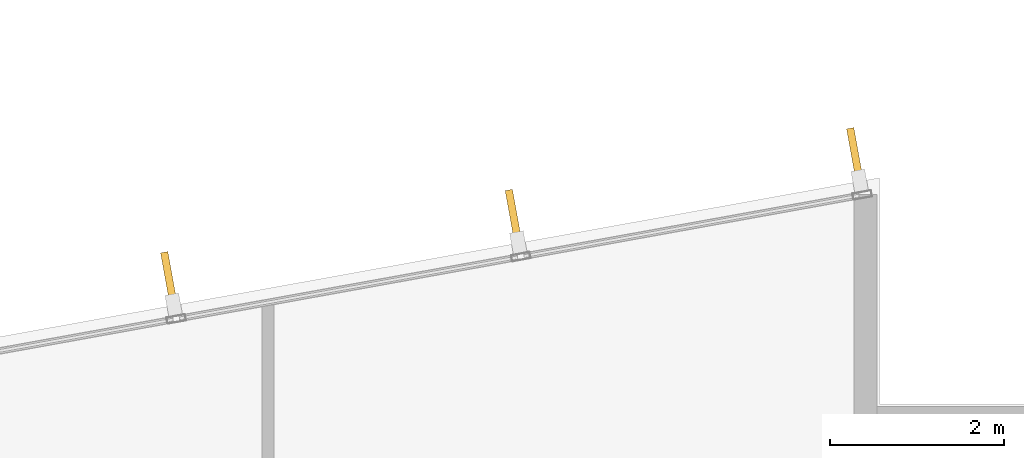
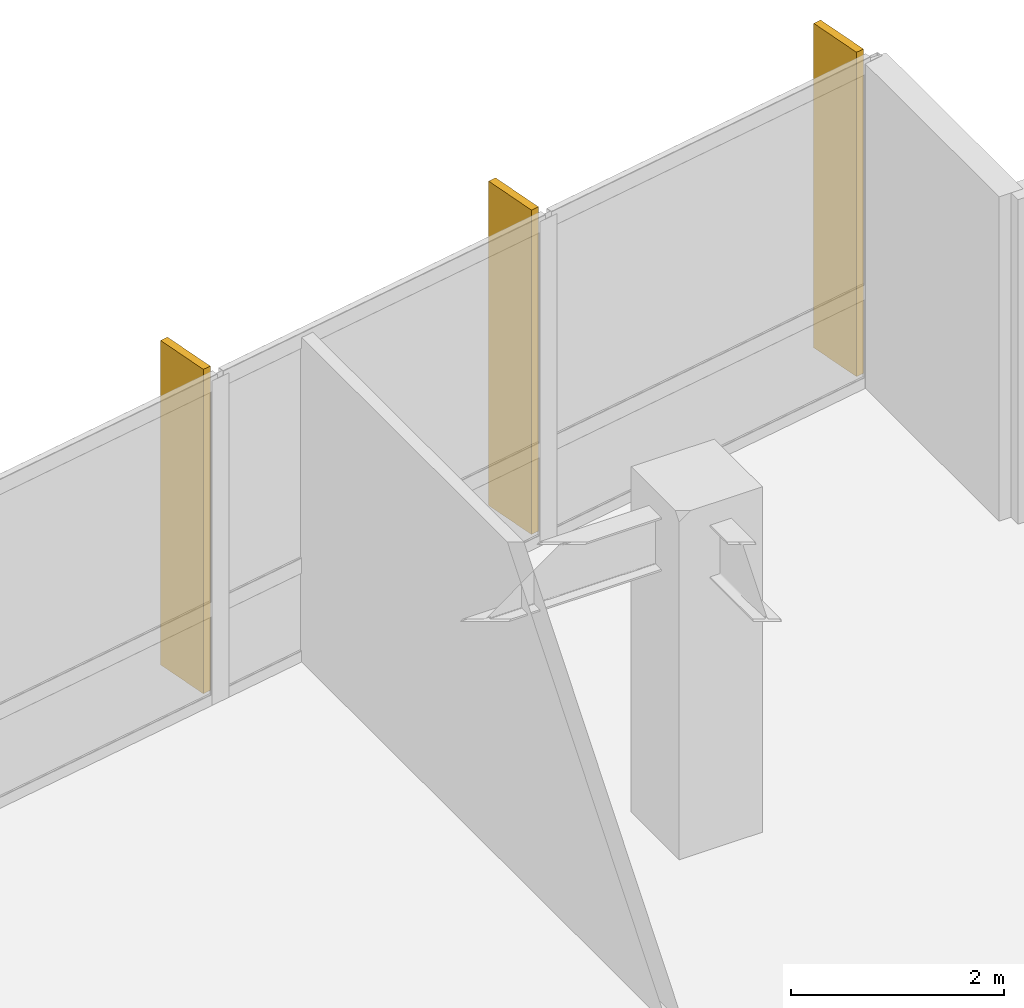
# One storey, part 18 of 18: 3 shading devices.
"""IFC4 building model written with IfcOpenShell, lengths in metres."""

from ifc_helpers import new_model, si_unit, direction, frame, origin, origin_2d, place, context, subcontext, project, spatial, rectangle, extrude, material, layer, layer_set, type_object, element, save


model = new_model("IFC4")

# Units and contexts
model_context = context("Model", 3, precision=1e-05, world=origin(), true_north=direction((0.0, 1.0)))
body_context = subcontext(model_context, "Body", "Model", "MODEL_VIEW")
ifc_project = project(units=[si_unit("LENGTHUNIT", "METRE"), si_unit("AREAUNIT", "SQUARE_METRE"), si_unit("VOLUMEUNIT", "CUBIC_METRE"), si_unit("PLANEANGLEUNIT", "RADIAN"), si_unit("MASSUNIT", "GRAM", prefix="KILO")], contexts=[model_context])

# Site, building, storey
site_placement = place(None, origin())
site = spatial("IfcSite", under=ifc_project, at=site_placement, CompositionType="ELEMENT")
building_placement = place(site_placement, origin())
building = spatial("IfcBuilding", under=site, at=building_placement, Name="Varnakote Quay Hospital", CompositionType="ELEMENT")
storey_placement = place(building_placement, frame((0.0, 0.0, 69.89990234375)))
storey = spatial("IfcBuildingStorey", under=building, at=storey_placement, Name="L17", CompositionType="ELEMENT", Elevation=69.89990234375)

# Shading devices
ifc_material = material(Name="Anodised aluminium 6063-T6 Bronze", Category="aluminium")
ifc_layer = layer(ifc_material, 0.0849609375)
ifc_layer_set = layer_set([ifc_layer], Name="Anodised aluminium 6063-T6 Bronze")
shading_device_type = type_object("IfcShadingDeviceType", Name="SHD-BRONZE-FIN-620", PredefinedType="USERDEFINED", material=ifc_layer_set)
for number, where, z_axis, x_axis, name in (
    (1, (55.319580078125, 34.664306640625, 0.0), (0.0, 0.0, 1.0), (0.177771795263, -0.984071739666, 0.0), "L17 Anodised Bronze Vertical Shading FIN"),
    (2, (51.393798828125, 33.954833984375, 0.0), (0.0, 0.0, 1.0), (0.177771795263, -0.984071739666, 0.0), "L17 Anodised Bronze Vertical Shading FIN"),
    (3, (47.43115234375, 33.23876953125, 0.0), (0.0, 0.0, 1.0), (0.177771795263, -0.984071739666, 0.0), "L17 Anodised Bronze Vertical Shading FIN"),
):
    element("IfcShadingDevice", number, at=place(storey_placement, frame(where, z_axis=z_axis, x_axis=x_axis)), inside=storey, type_object=shading_device_type, Name=name, ObjectType="FIN", PredefinedType="USERDEFINED", context=body_context, shape_type="SweptSolid", body=[
        extrude(rectangle(XDim=0.6201171875, YDim=0.0849609375, at=origin_2d()), origin(), (0.0, 0.0, 1.0), 3.7099609375),
    ])

save(model, "model.ifc")
